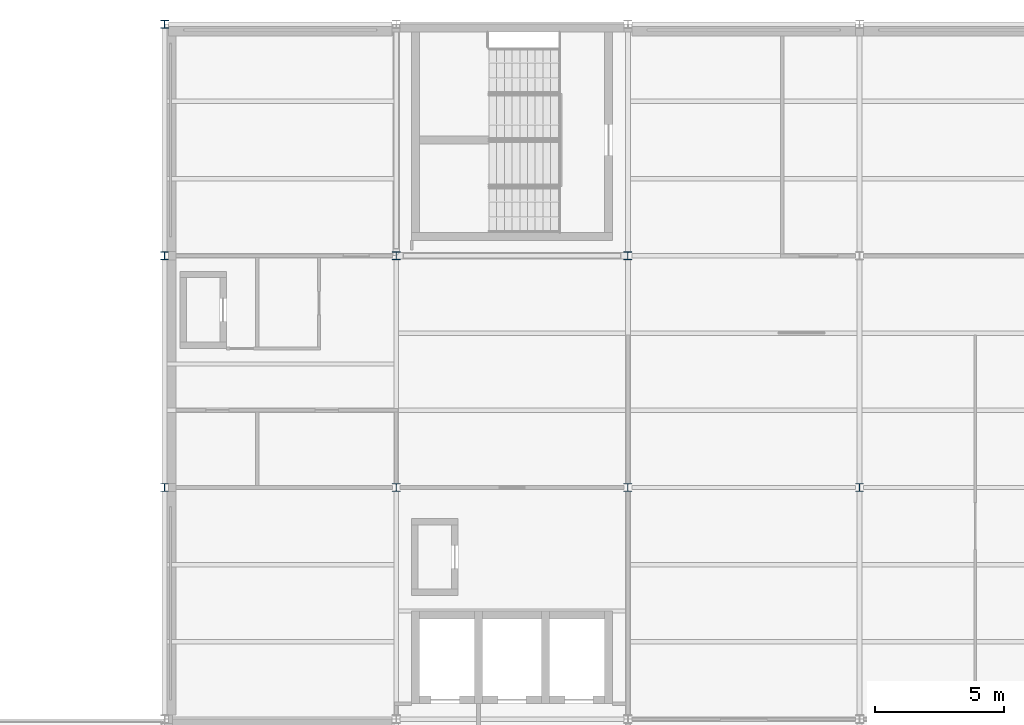
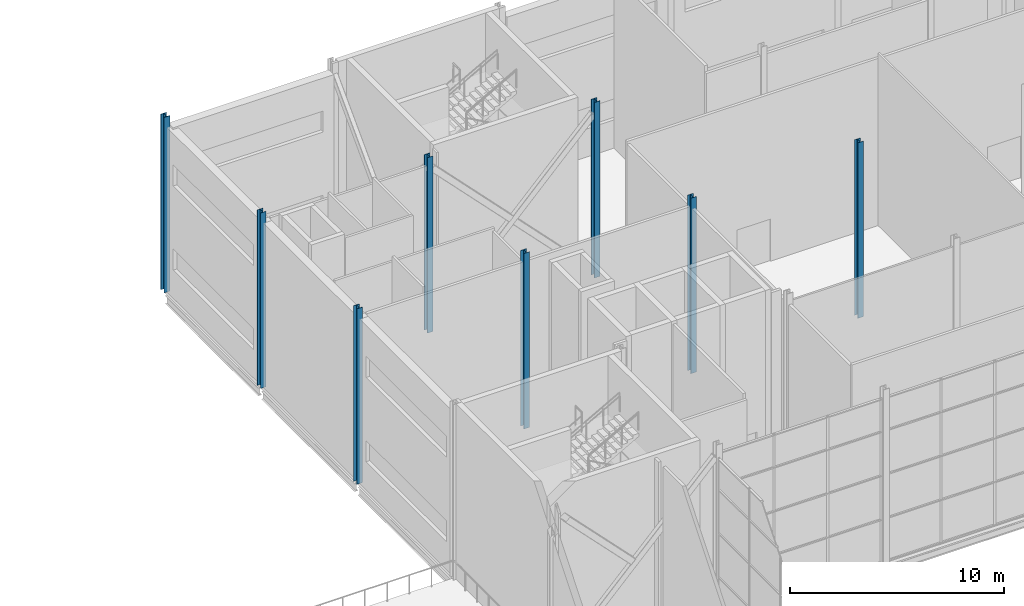
# One storey, part 6 of 111: 8 columns.
"""IFC4 building model written with IfcOpenShell, lengths in metres."""

from ifc_helpers import new_model, si_unit, direction, frame, origin, origin_2d, place, context, subcontext, project, spatial, i_section, extrude, material, material_profile, profile_set, type_object, element, save


model = new_model("IFC4")

# Units and contexts
model_context = context("Model", 3, precision=1e-05, world=origin(), true_north=direction((0.0, 1.0)))
body_context = subcontext(model_context, "Body", "Model", "MODEL_VIEW")
ifc_project = project(units=[si_unit("LENGTHUNIT", "METRE"), si_unit("AREAUNIT", "SQUARE_METRE"), si_unit("VOLUMEUNIT", "CUBIC_METRE"), si_unit("PLANEANGLEUNIT", "RADIAN"), si_unit("MASSUNIT", "GRAM", prefix="KILO")], contexts=[model_context])

# Site, building, storey
site_placement = place(None, origin())
site = spatial("IfcSite", under=ifc_project, at=site_placement, CompositionType="ELEMENT")
building_placement = place(site_placement, origin())
building = spatial("IfcBuilding", under=site, at=building_placement, Name="Shorebreak Coast Museum", CompositionType="ELEMENT")
storey_placement = place(building_placement, frame((0.0, 0.0, 16.0)))
storey = spatial("IfcBuildingStorey", under=building, at=storey_placement, Name="L03", CompositionType="ELEMENT", Elevation=16.0)

# Columns
ifc_material_1 = material(Name="Steel Grade 300", Category="steel")
ifc_material_profile_1 = material_profile(ifc_material_1, i_section(OverallWidth=0.31103515625, OverallDepth=0.3271484375, WebThickness=0.015625, FlangeThickness=0.02490234375, FilletRadius=0.0166015625, at=origin_2d()), Name="310UC158")
ifc_profile_set_1 = profile_set([ifc_material_profile_1], Name="Steel Grade 300")
column_type_1 = type_object("IfcColumnType", Name="Column 310UC158", PredefinedType="COLUMN", material=ifc_profile_set_1)
column_placement = place(storey_placement, frame((54.0, 117.0, 0.0), z_axis=(0.0, 0.0, 1.0), x_axis=(1.0, 0.0, 0.0)))
element("IfcColumn", 1, at=column_placement, inside=storey, type_object=column_type_1, Name="Column L03 7P", PredefinedType="COLUMN", context=body_context, shape_type="SweptSolid", body=[
    extrude(i_section(OverallWidth=0.31103515625, OverallDepth=0.3271484375, WebThickness=0.015625, FlangeThickness=0.02490234375, FilletRadius=0.0166015625, at=origin_2d()), origin(), (0.0, 0.0, 1.0), 10.0),
])
ifc_material_2 = material(Name="Steel Grade 300", Category="steel")
ifc_material_profile_2 = material_profile(ifc_material_2, i_section(OverallWidth=0.304931640625, OverallDepth=0.30810546875, WebThickness=0.010009765625, FlangeThickness=0.015380859375, FilletRadius=0.0166015625, at=origin_2d()), Name="310UC96.8")
ifc_profile_set_2 = profile_set([ifc_material_profile_2], Name="Steel Grade 300")
column_type_2 = type_object("IfcColumnType", Name="Column 310UC96.8", PredefinedType="COLUMN", material=ifc_profile_set_2)
for number, where, z_axis, x_axis, name in (
    (2, (54.0, 99.0, 0.0), (0.0, 0.0, 1.0), (1.0, 0.0, 0.0), "Column L03 7M"),
    (3, (63.0, 99.0, 0.0), (0.0, 0.0, 1.0), (1.0, 0.0, 0.0), "Column L03 8M"),
    (4, (72.0, 99.0, 0.0), (0.0, 0.0, 1.0), (1.0, 0.0, 0.0), "Column L03 9M"),
    (5, (81.0, 99.0, 0.0), (0.0, 0.0, 1.0), (1.0, 0.0, 0.0), "Column L03 10M"),
    (6, (54.0, 108.0, 0.0), (0.0, 0.0, 1.0), (1.0, 0.0, 0.0), "Column L03 7N"),
    (7, (63.0, 108.0, 0.0), (0.0, 0.0, 1.0), (1.0, 0.0, 0.0), "Column L03 8N"),
    (8, (72.0, 108.0, 0.0), (0.0, 0.0, 1.0), (1.0, 0.0, 0.0), "Column L03 9N"),
):
    element("IfcColumn", number, at=place(storey_placement, frame(where, z_axis=z_axis, x_axis=x_axis)), inside=storey, type_object=column_type_2, Name=name, PredefinedType="COLUMN", context=body_context, shape_type="SweptSolid", body=[
        extrude(i_section(OverallWidth=0.304931640625, OverallDepth=0.30810546875, WebThickness=0.010009765625, FlangeThickness=0.015380859375, FilletRadius=0.0166015625, at=origin_2d()), origin(), (0.0, 0.0, 1.0), 10.0),
    ])

save(model, "model.ifc")
